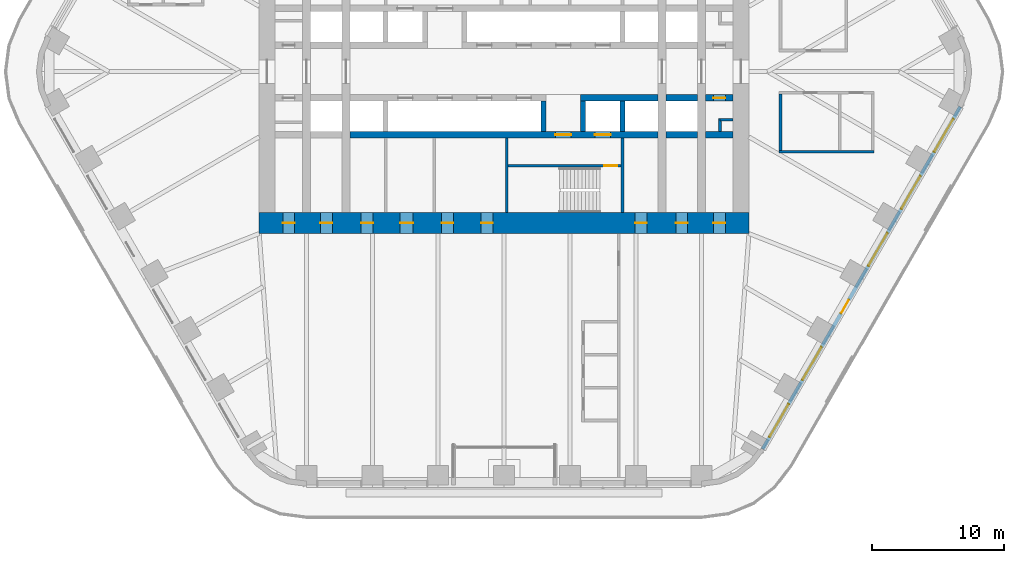
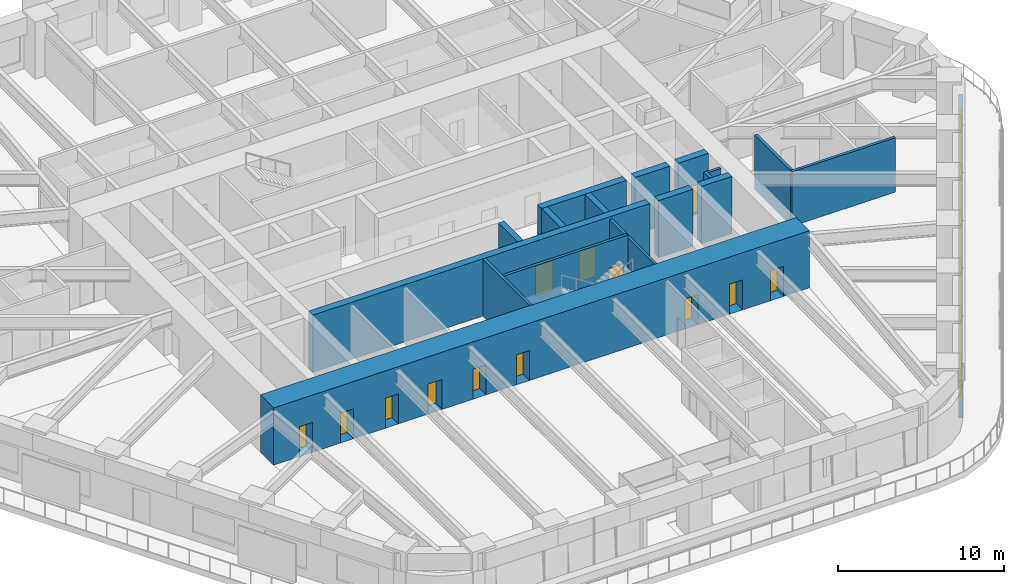
# One storey, part 18 of 24: 18 walls, 14 doors, 5 windows, 19 openings.
"""IFC4 building model written with IfcOpenShell, lengths in metres."""

from ifc_helpers import new_model, si_unit, direction, frame, frame_2d, origin, place, context, subcontext, project, spatial, rectangle, extrude, material, layer, layer_set, type_object, element, fill, save


model = new_model("IFC4")

# Units and contexts
model_context = context("Model", 3, precision=1e-05, world=origin(), true_north=direction((0.0, 1.0)))
body_context = subcontext(model_context, "Body", "Model", "MODEL_VIEW")
ifc_project = project(units=[si_unit("LENGTHUNIT", "METRE"), si_unit("AREAUNIT", "SQUARE_METRE"), si_unit("VOLUMEUNIT", "CUBIC_METRE"), si_unit("PLANEANGLEUNIT", "RADIAN"), si_unit("MASSUNIT", "GRAM", prefix="KILO")], contexts=[model_context])

# Site, building, storey
site_placement = place(None, origin())
site = spatial("IfcSite", under=ifc_project, at=site_placement, CompositionType="ELEMENT")
building_placement = place(site_placement, origin())
building = spatial("IfcBuilding", under=site, at=building_placement, Name="Tarfa Lantern Tower", CompositionType="ELEMENT")
storey_placement = place(building_placement, frame((0.0, 0.0, 140.5)))
storey = spatial("IfcBuildingStorey", under=building, at=storey_placement, Name="L31", CompositionType="ELEMENT", Elevation=140.5)

# Wall, openings, door, windows
ifc_material_1 = material(Name="Limestone cladding on blockwork", Category="masonry")
ifc_layer_1 = layer(ifc_material_1, 0.300048828125)
ifc_layer_set_1 = layer_set([ifc_layer_1], Name="EW1 STONE-CLAD WALL 300")
wall_type_1 = type_object("IfcWallType", Name="EW1 STONE-CLAD WALL 300", PredefinedType="SOLIDWALL", material=ifc_layer_set_1)
wall_1_placement = place(storey_placement, frame((19.644287109375, -28.675048828125, 0.0), z_axis=(0.0, 0.0, 1.0), x_axis=(0.500003084452, 0.866023622968, 0.0)))
wall_1 = element("IfcWall", 1, at=wall_1_placement, inside=storey, type_object=wall_type_1, Name="Stone wall SE", PredefinedType="SOLIDWALL", context=body_context, shape_type="SweptSolid", body=[
    extrude(rectangle(XDim=30.022216796875, YDim=0.300048828125, at=frame_2d((15.01123046875, 0.0))), origin(), (0.0, 0.0, 1.0), 2.75),
])
opening_1_placement = place(wall_1_placement, frame((1.0517578125, 0.0, 0.60009765625)))
opening_1 = element("IfcOpeningElement", 2, at=opening_1_placement, cuts=wall_1, Name="Opening W9", PredefinedType="OPENING", context=body_context, shape_type="SweptSolid", body=[
    extrude(rectangle(XDim=2.89990234375, YDim=1.89990234375, at=frame_2d((1.449951171875, 0.949951171875))), frame((0.0, 0.159912109375, 0.0), z_axis=(0.0, -1.0, 0.0), x_axis=(1.0, 0.0, 0.0)), (0.0, 0.0, 1.0), 0.320068359375),
])
opening_2_placement = place(wall_1_placement, frame((6.0556640625, 0.0, 0.60009765625)))
opening_2 = element("IfcOpeningElement", 3, at=opening_2_placement, cuts=wall_1, Name="Opening W9", PredefinedType="OPENING", context=body_context, shape_type="SweptSolid", body=[
    extrude(rectangle(XDim=2.89990234375, YDim=1.89990234375, at=frame_2d((1.449951171875, 0.949951171875))), frame((0.0, 0.159912109375, 0.0), z_axis=(0.0, -1.0, 0.0), x_axis=(1.0, 0.0, 0.0)), (0.0, 0.0, 1.0), 0.320068359375),
])
opening_3_placement = place(wall_1_placement, frame((11.9091796875, 0.0, 0.0)))
opening_3 = element("IfcOpeningElement", 4, at=opening_3_placement, cuts=wall_1, Name="Opening D50", PredefinedType="OPENING", context=body_context, shape_type="SweptSolid", body=[
    extrude(rectangle(XDim=1.199951171875, YDim=2.39990234375, at=frame_2d((0.60009765625, 1.199951171875))), frame((0.0, 0.159912109375, 0.0), z_axis=(0.0, -1.0, 0.0), x_axis=(1.0, 0.0, 0.0)), (0.0, 0.0, 1.0), 0.320068359375),
])
opening_4_placement = place(wall_1_placement, frame((16.06298828125, 0.0, 0.60009765625)))
opening_4 = element("IfcOpeningElement", 5, at=opening_4_placement, cuts=wall_1, Name="Opening W9", PredefinedType="OPENING", context=body_context, shape_type="SweptSolid", body=[
    extrude(rectangle(XDim=2.89990234375, YDim=1.89990234375, at=frame_2d((1.449951171875, 0.949951171875))), frame((0.0, 0.159912109375, 0.0), z_axis=(0.0, -1.0, 0.0), x_axis=(1.0, 0.0, 0.0)), (0.0, 0.0, 1.0), 0.320068359375),
])
opening_5_placement = place(wall_1_placement, frame((21.066650390625, 0.0, 0.60009765625)))
opening_5 = element("IfcOpeningElement", 6, at=opening_5_placement, cuts=wall_1, Name="Opening W9", PredefinedType="OPENING", context=body_context, shape_type="SweptSolid", body=[
    extrude(rectangle(XDim=2.89990234375, YDim=1.89990234375, at=frame_2d((1.449951171875, 0.949951171875))), frame((0.0, 0.159912109375, 0.0), z_axis=(0.0, -1.0, 0.0), x_axis=(1.0, 0.0, 0.0)), (0.0, 0.0, 1.0), 0.320068359375),
])
opening_6_placement = place(wall_1_placement, frame((26.0703125, 0.0, 0.60009765625)))
opening_6 = element("IfcOpeningElement", 7, at=opening_6_placement, cuts=wall_1, Name="Opening W9", PredefinedType="OPENING", context=body_context, shape_type="SweptSolid", body=[
    extrude(rectangle(XDim=2.89990234375, YDim=1.89990234375, at=frame_2d((1.449951171875, 0.949951171875))), frame((0.0, 0.159912109375, 0.0), z_axis=(0.0, -1.0, 0.0), x_axis=(1.0, 0.0, 0.0)), (0.0, 0.0, 1.0), 0.320068359375),
])
ifc_material_2 = material(Name="Aluminium framed glazed door", Category="aluminium")
door_type_1 = type_object("IfcDoorType", Name="BE3 BALCONY DOOR 1200x2400", OperationType="SINGLE_SWING_RIGHT", PredefinedType="DOOR", material=ifc_material_2)
door_1_placement = place(opening_3_placement, origin())
door_1 = element("IfcDoor", 8, at=door_1_placement, inside=storey, type_object=door_type_1, Name="Balcony door SE", OperationType="SINGLE_SWING_RIGHT", OverallHeight=2.39990234375, OverallWidth=1.199951171875, PredefinedType="DOOR", context=body_context, shape_type="SweptSolid", body=[
    extrude(rectangle(XDim=1.199951171875, YDim=2.39990234375, at=frame_2d((0.60009765625, 1.199951171875))), frame((0.0, 0.02490234375, 0.0), z_axis=(0.0, -1.0, 0.0), x_axis=(1.0, 0.0, 0.0)), (0.0, 0.0, 1.0), 0.050048828125),
])
fill(opening_3, door_1)
ifc_material_3 = material(Name="Aluminium frame, double glazed", Category="aluminium")
window_type = type_object("IfcWindowType", Name="W9 FULL-HEIGHT GLAZING 2900x1900", PartitioningType="SINGLE_PANEL", PredefinedType="WINDOW", material=ifc_material_3)
window_1_placement = place(opening_1_placement, origin())
window_1 = element("IfcWindow", 9, at=window_1_placement, inside=storey, type_object=window_type, Name="Window SE 1", OverallHeight=1.89990234375, OverallWidth=2.89990234375, PartitioningType="SINGLE_PANEL", PredefinedType="WINDOW", context=body_context, shape_type="SweptSolid", body=[
    extrude(rectangle(XDim=2.89990234375, YDim=1.89990234375, at=frame_2d((1.449951171875, 0.949951171875))), frame((0.0, 0.030029296875, 0.0), z_axis=(0.0, -1.0, 0.0), x_axis=(1.0, 0.0, 0.0)), (0.0, 0.0, 1.0), 0.06005859375),
])
fill(opening_1, window_1)
window_2_placement = place(opening_2_placement, origin())
window_2 = element("IfcWindow", 10, at=window_2_placement, inside=storey, type_object=window_type, Name="Window SE 2", OverallHeight=1.89990234375, OverallWidth=2.89990234375, PartitioningType="SINGLE_PANEL", PredefinedType="WINDOW", context=body_context, shape_type="SweptSolid", body=[
    extrude(rectangle(XDim=2.89990234375, YDim=1.89990234375, at=frame_2d((1.449951171875, 0.949951171875))), frame((0.0, 0.030029296875, 0.0), z_axis=(0.0, -1.0, 0.0), x_axis=(1.0, 0.0, 0.0)), (0.0, 0.0, 1.0), 0.06005859375),
])
fill(opening_2, window_2)
window_3_placement = place(opening_4_placement, origin())
window_3 = element("IfcWindow", 11, at=window_3_placement, inside=storey, type_object=window_type, Name="Window SE 4", OverallHeight=1.89990234375, OverallWidth=2.89990234375, PartitioningType="SINGLE_PANEL", PredefinedType="WINDOW", context=body_context, shape_type="SweptSolid", body=[
    extrude(rectangle(XDim=2.89990234375, YDim=1.89990234375, at=frame_2d((1.449951171875, 0.949951171875))), frame((0.0, 0.030029296875, 0.0), z_axis=(0.0, -1.0, 0.0), x_axis=(1.0, 0.0, 0.0)), (0.0, 0.0, 1.0), 0.06005859375),
])
fill(opening_4, window_3)
window_4_placement = place(opening_5_placement, origin())
window_4 = element("IfcWindow", 12, at=window_4_placement, inside=storey, type_object=window_type, Name="Window SE 5", OverallHeight=1.89990234375, OverallWidth=2.89990234375, PartitioningType="SINGLE_PANEL", PredefinedType="WINDOW", context=body_context, shape_type="SweptSolid", body=[
    extrude(rectangle(XDim=2.89990234375, YDim=1.89990234375, at=frame_2d((1.449951171875, 0.949951171875))), frame((0.0, 0.030029296875, 0.0), z_axis=(0.0, -1.0, 0.0), x_axis=(1.0, 0.0, 0.0)), (0.0, 0.0, 1.0), 0.06005859375),
])
fill(opening_5, window_4)
window_5_placement = place(opening_6_placement, origin())
window_5 = element("IfcWindow", 13, at=window_5_placement, inside=storey, type_object=window_type, Name="Window SE 6", OverallHeight=1.89990234375, OverallWidth=2.89990234375, PartitioningType="SINGLE_PANEL", PredefinedType="WINDOW", context=body_context, shape_type="SweptSolid", body=[
    extrude(rectangle(XDim=2.89990234375, YDim=1.89990234375, at=frame_2d((1.449951171875, 0.949951171875))), frame((0.0, 0.030029296875, 0.0), z_axis=(0.0, -1.0, 0.0), x_axis=(1.0, 0.0, 0.0)), (0.0, 0.0, 1.0), 0.06005859375),
])
fill(opening_6, window_5)

# Walls
ifc_material_4 = material(Name="Concrete blockwork", Category="masonry")
ifc_layer_2 = layer(ifc_material_4, 0.199951171875)
ifc_layer_set_2 = layer_set([ifc_layer_2], Name="IW1 BLOCKWORK PARTITION 200 EI 120")
wall_type_2 = type_object("IfcWallType", Name="IW1 BLOCKWORK PARTITION 200 EI 120", PredefinedType="PARTITIONING", material=ifc_layer_set_2)
wall_2_placement = place(storey_placement, frame((9.0, -5.050048828125, 0.0), z_axis=(0.0, 0.0, 1.0), x_axis=(0.0, -1.0, 0.0)))
element("IfcWall", 14, at=wall_2_placement, inside=storey, type_object=wall_type_2, Name="Core partition", PredefinedType="PARTITIONING", context=body_context, shape_type="SweptSolid", body=[
    extrude(rectangle(XDim=5.64990234375, YDim=0.199951171875, at=frame_2d((2.824951171875, 0.0))), origin(), (0.0, 0.0, 1.0), 4.0),
])
for number, where, z_axis, x_axis, name in (
    (15, (17.39990234375, -3.64990234375, 0.0), (0.0, 0.0, 1.0), (-1.0, 0.0, 0.0), "Core partition"),
    (16, (16.39990234375, -3.550048828125, 0.0), (0.0, 0.0, 1.0), (0.0, -1.0, 0.0), "Core partition"),
):
    element("IfcWall", number, at=place(storey_placement, frame(where, z_axis=z_axis, x_axis=x_axis)), inside=storey, type_object=wall_type_2, Name=name, PredefinedType="PARTITIONING", context=body_context, shape_type="SweptSolid", body=[
        extrude(rectangle(XDim=1.0, YDim=0.199951171875, at=frame_2d((0.5, 0.0))), origin(), (0.0, 0.0, 1.0), 4.0),
    ])
ifc_material_5 = material(Name="Gypsum board on steel studs", Category="steel")
ifc_layer_3 = layer(ifc_material_5, 0.2099609375)
ifc_layer_set_3 = layer_set([ifc_layer_3], Name="IW2 ACOUSTIC PARTITION 200")
wall_type_3 = type_object("IfcWallType", Name="IW2 ACOUSTIC PARTITION 200", PredefinedType="PARTITIONING", material=ifc_layer_set_3)
wall_3_placement = place(storey_placement, frame((20.89990234375, -6.10009765625, 0.0), z_axis=(0.0, 0.0, 1.0), x_axis=(1.0, 0.0, 0.0)))
element("IfcWall", 17, at=wall_3_placement, inside=storey, type_object=wall_type_3, Name="Partition", PredefinedType="PARTITIONING", context=body_context, shape_type="SweptSolid", body=[
    extrude(rectangle(XDim=7.2001953125, YDim=0.199951171875, at=frame_2d((3.60009765625, 0.0))), origin(), (0.0, 0.0, 1.0), 4.0),
])
wall_4_placement = place(storey_placement, frame((21.0, -1.699951171875, 0.0), z_axis=(0.0, 0.0, 1.0), x_axis=(0.0, -1.0, 0.0)))
element("IfcWall", 18, at=wall_4_placement, inside=storey, type_object=wall_type_3, Name="Partition", PredefinedType="PARTITIONING", context=body_context, shape_type="SweptSolid", body=[
    extrude(rectangle(XDim=4.300048828125, YDim=0.199951171875, at=frame_2d((2.14990234375, 0.0))), origin(), (0.0, 0.0, 1.0), 4.0),
])
ifc_material_6 = material(Name="Concrete C80/95", Category="concrete")
ifc_layer_4 = layer(ifc_material_6, 0.199951171875)
ifc_layer_set_4 = layer_set([ifc_layer_4], Name="SW12 CORE WALL 200")
wall_type_4 = type_object("IfcWallType", Name="SW12 CORE WALL 200", PredefinedType="SHEAR", material=ifc_layer_set_4)
wall_5_placement = place(storey_placement, frame((0.199951171875, -5.050048828125, 0.0), z_axis=(0.0, 0.0, 1.0), x_axis=(0.0, -1.0, 0.0)))
element("IfcWall", 19, at=wall_5_placement, inside=storey, type_object=wall_type_4, Name="Core wall stair shaft S", PredefinedType="SHEAR", context=body_context, shape_type="SweptSolid", body=[
    extrude(rectangle(XDim=5.64990234375, YDim=0.199951171875, at=frame_2d((2.824951171875, 0.0))), origin(), (0.0, 0.0, 1.0), 4.199951171875),
])

# Wall, opening, door
wall_6_placement = place(storey_placement, frame((8.89990234375, -7.14990234375, 0.0), z_axis=(0.0, 0.0, 1.0), x_axis=(-1.0, 0.0, 0.0)))
wall_6 = element("IfcWall", 20, at=wall_6_placement, inside=storey, type_object=wall_type_4, Name="Core wall stair partition S", PredefinedType="SHEAR", context=body_context, shape_type="SweptSolid", body=[
    extrude(rectangle(XDim=8.599853515625, YDim=0.199951171875, at=frame_2d((4.2998046875, 0.0))), origin(), (0.0, 0.0, 1.0), 4.199951171875),
])
opening_7_placement = place(wall_6_placement, frame((0.300048828125, 0.0, 0.0)))
opening_7 = element("IfcOpeningElement", 21, at=opening_7_placement, cuts=wall_6, Name="Opening D28", PredefinedType="OPENING", context=body_context, shape_type="SweptSolid", body=[
    extrude(rectangle(XDim=1.0, YDim=2.199951171875, at=frame_2d((0.5, 1.10009765625))), frame((0.0, 0.10986328125, 0.0), z_axis=(0.0, -1.0, 0.0), x_axis=(1.0, 0.0, 0.0)), (0.0, 0.0, 1.0), 0.219970703125),
])
ifc_material_7 = material(Name="Steel fire door", Category="steel")
door_type_2 = type_object("IfcDoorType", Name="DF2 STAIR DOOR 1000x2200", OperationType="SINGLE_SWING_LEFT", PredefinedType="DOOR", material=ifc_material_7)
door_2_placement = place(opening_7_placement, origin())
door_2 = element("IfcDoor", 22, at=door_2_placement, inside=storey, type_object=door_type_2, Name="Stair door", OperationType="SINGLE_SWING_RIGHT", OverallHeight=2.199951171875, OverallWidth=1.0, PredefinedType="DOOR", context=body_context, shape_type="SweptSolid", body=[
    extrude(rectangle(XDim=1.0, YDim=2.199951171875, at=frame_2d((0.5, 1.10009765625))), frame((0.0, 0.02490234375, 0.0), z_axis=(0.0, -1.0, 0.0), x_axis=(1.0, 0.0, 0.0)), (0.0, 0.0, 1.0), 0.050048828125),
])
fill(opening_7, door_2)

ifc_layer_5 = layer(ifc_material_6, 0.5)
ifc_layer_set_5 = layer_set([ifc_layer_5], Name="SW5 CORE WALL 500")
wall_type_5 = type_object("IfcWallType", Name="SW5 CORE WALL 500", PredefinedType="SHEAR", material=ifc_layer_set_5)
wall_7_placement = place(storey_placement, frame((17.39990234375, -2.0, 0.0), z_axis=(0.0, 0.0, 1.0), x_axis=(-1.0, 0.0, 0.0)))
wall_7 = element("IfcWall", 23, at=wall_7_placement, inside=storey, type_object=wall_type_5, Name="Core wall lobby west S", PredefinedType="SHEAR", context=body_context, shape_type="SweptSolid", body=[
    extrude(rectangle(XDim=2.099853515625, YDim=0.5, at=frame_2d((1.0498046875, 0.0))), origin(), (0.0, 0.0, 1.0), 4.199951171875),
])
opening_8_placement = place(wall_7_placement, frame((0.60009765625, 0.0, 0.0)))
opening_8 = element("IfcOpeningElement", 24, at=opening_8_placement, cuts=wall_7, Name="Opening D20", PredefinedType="OPENING", context=body_context, shape_type="SweptSolid", body=[
    extrude(rectangle(XDim=0.89990234375, YDim=2.199951171875, at=frame_2d((0.449951171875, 1.10009765625))), frame((0.0, 0.260009765625, 0.0), z_axis=(0.0, -1.0, 0.0), x_axis=(1.0, 0.0, 0.0)), (0.0, 0.0, 1.0), 0.52001953125),
])
door_type_3 = type_object("IfcDoorType", Name="DF6 SERVICE ROOM DOOR 900x2200", OperationType="SINGLE_SWING_LEFT", PredefinedType="DOOR", material=ifc_material_7)
door_3_placement = place(opening_8_placement, origin())
door_3 = element("IfcDoor", 25, at=door_3_placement, inside=storey, type_object=door_type_3, Name="Service room door", OperationType="SINGLE_SWING_LEFT", OverallHeight=2.199951171875, OverallWidth=0.89990234375, PredefinedType="DOOR", context=body_context, shape_type="SweptSolid", body=[
    extrude(rectangle(XDim=0.89990234375, YDim=2.199951171875, at=frame_2d((0.449951171875, 1.10009765625))), frame((0.0, 0.02490234375, 0.0), z_axis=(0.0, -1.0, 0.0), x_axis=(1.0, 0.0, 0.0)), (0.0, 0.0, 1.0), 0.050048828125),
])
fill(opening_8, door_3)

# Walls
wall_8_placement = place(storey_placement, frame((14.699951171875, -2.0, 0.0), z_axis=(0.0, 0.0, 1.0), x_axis=(-1.0, 0.0, 0.0)))
element("IfcWall", 26, at=wall_8_placement, inside=storey, type_object=wall_type_5, Name="Core wall lobby west S", PredefinedType="SHEAR", context=body_context, shape_type="SweptSolid", body=[
    extrude(rectangle(XDim=2.39990234375, YDim=0.5, at=frame_2d((1.199951171875, 0.0))), origin(), (0.0, 0.0, 1.0), 4.199951171875),
])
wall_9_placement = place(storey_placement, frame((11.699951171875, -2.0, 0.0), z_axis=(0.0, 0.0, 1.0), x_axis=(-1.0, 0.0, 0.0)))
element("IfcWall", 27, at=wall_9_placement, inside=storey, type_object=wall_type_5, Name="Core wall lobby west S", PredefinedType="SHEAR", context=body_context, shape_type="SweptSolid", body=[
    extrude(rectangle(XDim=5.89990234375, YDim=0.5, at=frame_2d((2.949951171875, 0.0))), origin(), (0.0, 0.0, 1.0), 4.199951171875),
])
wall_10_placement = place(storey_placement, frame((17.39990234375, -4.800048828125, 0.0), z_axis=(0.0, 0.0, 1.0), x_axis=(-1.0, 0.0, 0.0)))
element("IfcWall", 28, at=wall_10_placement, inside=storey, type_object=wall_type_5, Name="Core wall rear S", PredefinedType="SHEAR", context=body_context, shape_type="SweptSolid", body=[
    extrude(rectangle(XDim=2.099853515625, YDim=0.5, at=frame_2d((1.0498046875, 0.0))), origin(), (0.0, 0.0, 1.0), 4.199951171875),
])
wall_11_placement = place(storey_placement, frame((14.699951171875, -4.800048828125, 0.0), z_axis=(0.0, 0.0, 1.0), x_axis=(-1.0, 0.0, 0.0)))
element("IfcWall", 29, at=wall_11_placement, inside=storey, type_object=wall_type_5, Name="Core wall rear S", PredefinedType="SHEAR", context=body_context, shape_type="SweptSolid", body=[
    extrude(rectangle(XDim=2.39990234375, YDim=0.5, at=frame_2d((1.199951171875, 0.0))), origin(), (0.0, 0.0, 1.0), 4.199951171875),
])

# Wall, openings, doors
wall_12_placement = place(storey_placement, frame((11.699951171875, -4.800048828125, 0.0), z_axis=(0.0, 0.0, 1.0), x_axis=(-1.0, 0.0, 0.0)))
wall_12 = element("IfcWall", 30, at=wall_12_placement, inside=storey, type_object=wall_type_5, Name="Core wall rear S", PredefinedType="SHEAR", context=body_context, shape_type="SweptSolid", body=[
    extrude(rectangle(XDim=23.39990234375, YDim=0.5, at=frame_2d((11.699951171875, 0.0))), origin(), (0.0, 0.0, 1.0), 4.199951171875),
])
opening_9_placement = place(wall_12_placement, frame((6.60009765625, 0.0, 0.0)))
opening_9 = element("IfcOpeningElement", 31, at=opening_9_placement, cuts=wall_12, Name="Opening D14", PredefinedType="OPENING", context=body_context, shape_type="SweptSolid", body=[
    extrude(rectangle(XDim=1.199951171875, YDim=2.199951171875, at=frame_2d((0.60009765625, 1.10009765625))), frame((0.0, 0.260009765625, 0.0), z_axis=(0.0, -1.0, 0.0), x_axis=(1.0, 0.0, 0.0)), (0.0, 0.0, 1.0), 0.52001953125),
])
opening_10_placement = place(wall_12_placement, frame((3.60009765625, 0.0, 0.0)))
opening_10 = element("IfcOpeningElement", 32, at=opening_10_placement, cuts=wall_12, Name="Opening LD02", PredefinedType="OPENING", context=body_context, shape_type="SweptSolid", body=[
    extrude(rectangle(XDim=1.199951171875, YDim=2.199951171875, at=frame_2d((0.60009765625, 1.10009765625))), frame((0.0, 0.260009765625, 0.0), z_axis=(0.0, -1.0, 0.0), x_axis=(1.0, 0.0, 0.0)), (0.0, 0.0, 1.0), 0.52001953125),
])
door_type_4 = type_object("IfcDoorType", Name="DF1 FIREFIGHTING LOBBY DOOR 1200x2200", OperationType="SINGLE_SWING_LEFT", PredefinedType="DOOR", material=ifc_material_7)
door_4_placement = place(opening_9_placement, origin())
door_4 = element("IfcDoor", 33, at=door_4_placement, inside=storey, type_object=door_type_4, Name="Firefighting lobby door", OperationType="SINGLE_SWING_LEFT", OverallHeight=2.199951171875, OverallWidth=1.199951171875, PredefinedType="DOOR", context=body_context, shape_type="SweptSolid", body=[
    extrude(rectangle(XDim=1.199951171875, YDim=2.199951171875, at=frame_2d((0.60009765625, 1.10009765625))), frame((0.0, 0.02490234375, 0.0), z_axis=(0.0, -1.0, 0.0), x_axis=(1.0, 0.0, 0.0)), (0.0, 0.0, 1.0), 0.050048828125),
])
fill(opening_9, door_4)
ifc_material_8 = material(Name="Stainless steel lift door", Category="steel")
door_type_5 = type_object("IfcDoorType", Name="LD1 LIFT LANDING DOOR 1200x2200", OperationType="SLIDING_TO_LEFT", PredefinedType="DOOR", material=ifc_material_8)
door_5_placement = place(opening_10_placement, origin())
door_5 = element("IfcDoor", 34, at=door_5_placement, inside=storey, type_object=door_type_5, Name="Landing door FL2", OperationType="SLIDING_TO_LEFT", OverallHeight=2.199951171875, OverallWidth=1.199951171875, PredefinedType="DOOR", context=body_context, shape_type="SweptSolid", body=[
    extrude(rectangle(XDim=1.199951171875, YDim=2.199951171875, at=frame_2d((0.60009765625, 1.10009765625))), frame((0.0, 0.02490234375, 0.0), z_axis=(0.0, -1.0, 0.0), x_axis=(1.0, 0.0, 0.0)), (0.0, 0.0, 1.0), 0.050048828125),
])
fill(opening_10, door_5)

# Walls
ifc_layer_6 = layer(ifc_material_6, 0.39990234375)
ifc_layer_set_6 = layer_set([ifc_layer_6], Name="SW6 CORE WALL 400")
wall_type_6 = type_object("IfcWallType", Name="SW6 CORE WALL 400", PredefinedType="SHEAR", material=ifc_layer_set_6)
for number, where, z_axis, x_axis, name in (
    (35, (9.0, -2.25, 0.0), (0.0, 0.0, 1.0), (0.0, -1.0, 0.0), "Core wall divider S"),
    (36, (6.0, -2.25, 0.0), (0.0, 0.0, 1.0), (0.0, -1.0, 0.0), "Core wall divider S"),
    (37, (3.0, -2.25, 0.0), (0.0, 0.0, 1.0), (0.0, -1.0, 0.0), "Core wall divider S"),
):
    element("IfcWall", number, at=place(storey_placement, frame(where, z_axis=z_axis, x_axis=x_axis)), inside=storey, type_object=wall_type_6, Name=name, PredefinedType="SHEAR", context=body_context, shape_type="SweptSolid", body=[
        extrude(rectangle(XDim=2.300048828125, YDim=0.39990234375, at=frame_2d((1.14990234375, 0.0))), origin(), (0.0, 0.0, 1.0), 4.199951171875),
    ])

# Wall, openings, doors
ifc_layer_7 = layer(ifc_material_6, 1.60009765625)
ifc_layer_set_7 = layer_set([ifc_layer_7], Name="SW7 CORE WALL 1600")
wall_type_7 = type_object("IfcWallType", Name="SW7 CORE WALL 1600", PredefinedType="SHEAR", material=ifc_layer_set_7)
wall_13_placement = place(storey_placement, frame((18.60009765625, -11.5, 0.0), z_axis=(0.0, 0.0, 1.0), x_axis=(-1.0, 0.0, 0.0)))
wall_13 = element("IfcWall", 38, at=wall_13_placement, inside=storey, type_object=wall_type_7, Name="Core wall S", PredefinedType="SHEAR", context=body_context, shape_type="SweptSolid", body=[
    extrude(rectangle(XDim=37.2001953125, YDim=1.60009765625, at=frame_2d((18.60009765625, 0.0))), origin(), (0.0, 0.0, 1.0), 4.199951171875),
])
opening_11_placement = place(wall_13_placement, frame((19.449951171875, 0.0, 0.0)))
opening_11 = element("IfcOpeningElement", 39, at=opening_11_placement, cuts=wall_13, Name="Opening D22", PredefinedType="OPENING", context=body_context, shape_type="SweptSolid", body=[
    extrude(rectangle(XDim=0.89990234375, YDim=2.199951171875, at=frame_2d((0.449951171875, 1.10009765625))), frame((0.0, 0.81005859375, 0.0), z_axis=(0.0, -1.0, 0.0), x_axis=(1.0, 0.0, 0.0)), (0.0, 0.0, 1.0), 1.6201171875),
])
opening_12_placement = place(wall_13_placement, frame((22.449951171875, 0.0, 0.0)))
opening_12 = element("IfcOpeningElement", 40, at=opening_12_placement, cuts=wall_13, Name="Opening D24", PredefinedType="OPENING", context=body_context, shape_type="SweptSolid", body=[
    extrude(rectangle(XDim=0.89990234375, YDim=2.199951171875, at=frame_2d((0.449951171875, 1.10009765625))), frame((0.0, 0.81005859375, 0.0), z_axis=(0.0, -1.0, 0.0), x_axis=(1.0, 0.0, 0.0)), (0.0, 0.0, 1.0), 1.6201171875),
])
opening_13_placement = place(wall_13_placement, frame((25.5, 0.0, 0.0)))
opening_13 = element("IfcOpeningElement", 41, at=opening_13_placement, cuts=wall_13, Name="Opening D26", PredefinedType="OPENING", context=body_context, shape_type="SweptSolid", body=[
    extrude(rectangle(XDim=1.0, YDim=2.199951171875, at=frame_2d((0.5, 1.10009765625))), frame((0.0, 0.81005859375, 0.0), z_axis=(0.0, -1.0, 0.0), x_axis=(1.0, 0.0, 0.0)), (0.0, 0.0, 1.0), 1.6201171875),
])
opening_14_placement = place(wall_13_placement, frame((1.800048828125, 0.0, 0.0)))
opening_14 = element("IfcOpeningElement", 42, at=opening_14_placement, cuts=wall_13, Name="Opening D12", PredefinedType="OPENING", context=body_context, shape_type="SweptSolid", body=[
    extrude(rectangle(XDim=0.89990234375, YDim=2.199951171875, at=frame_2d((0.449951171875, 1.10009765625))), frame((0.0, 0.81005859375, 0.0), z_axis=(0.0, -1.0, 0.0), x_axis=(1.0, 0.0, 0.0)), (0.0, 0.0, 1.0), 1.6201171875),
])
opening_15_placement = place(wall_13_placement, frame((4.64990234375, 0.0, 0.0)))
opening_15 = element("IfcOpeningElement", 43, at=opening_15_placement, cuts=wall_13, Name="Opening D08", PredefinedType="OPENING", context=body_context, shape_type="SweptSolid", body=[
    extrude(rectangle(XDim=0.89990234375, YDim=2.199951171875, at=frame_2d((0.449951171875, 1.10009765625))), frame((0.0, 0.81005859375, 0.0), z_axis=(0.0, -1.0, 0.0), x_axis=(1.0, 0.0, 0.0)), (0.0, 0.0, 1.0), 1.6201171875),
])
opening_16_placement = place(wall_13_placement, frame((7.75, 0.0, 0.0)))
opening_16 = element("IfcOpeningElement", 44, at=opening_16_placement, cuts=wall_13, Name="Opening D10", PredefinedType="OPENING", context=body_context, shape_type="SweptSolid", body=[
    extrude(rectangle(XDim=0.89990234375, YDim=2.199951171875, at=frame_2d((0.449951171875, 1.10009765625))), frame((0.0, 0.81005859375, 0.0), z_axis=(0.0, -1.0, 0.0), x_axis=(1.0, 0.0, 0.0)), (0.0, 0.0, 1.0), 1.6201171875),
])
opening_17_placement = place(wall_13_placement, frame((28.550048828125, 0.0, 0.0)))
opening_17 = element("IfcOpeningElement", 45, at=opening_17_placement, cuts=wall_13, Name="Opening D06", PredefinedType="OPENING", context=body_context, shape_type="SweptSolid", body=[
    extrude(rectangle(XDim=0.89990234375, YDim=2.199951171875, at=frame_2d((0.449951171875, 1.10009765625))), frame((0.0, 0.81005859375, 0.0), z_axis=(0.0, -1.0, 0.0), x_axis=(1.0, 0.0, 0.0)), (0.0, 0.0, 1.0), 1.6201171875),
])
opening_18_placement = place(wall_13_placement, frame((31.64990234375, 0.0, 0.0)))
opening_18 = element("IfcOpeningElement", 46, at=opening_18_placement, cuts=wall_13, Name="Opening D02", PredefinedType="OPENING", context=body_context, shape_type="SweptSolid", body=[
    extrude(rectangle(XDim=0.89990234375, YDim=2.199951171875, at=frame_2d((0.449951171875, 1.10009765625))), frame((0.0, 0.81005859375, 0.0), z_axis=(0.0, -1.0, 0.0), x_axis=(1.0, 0.0, 0.0)), (0.0, 0.0, 1.0), 1.6201171875),
])
opening_19_placement = place(wall_13_placement, frame((34.5, 0.0, 0.0)))
opening_19 = element("IfcOpeningElement", 47, at=opening_19_placement, cuts=wall_13, Name="Opening D04", PredefinedType="OPENING", context=body_context, shape_type="SweptSolid", body=[
    extrude(rectangle(XDim=0.89990234375, YDim=2.199951171875, at=frame_2d((0.449951171875, 1.10009765625))), frame((0.0, 0.81005859375, 0.0), z_axis=(0.0, -1.0, 0.0), x_axis=(1.0, 0.0, 0.0)), (0.0, 0.0, 1.0), 1.6201171875),
])
door_type_6 = type_object("IfcDoorType", Name="DF3 CORE ROOM DOOR 900x2200", OperationType="SINGLE_SWING_LEFT", PredefinedType="DOOR", material=ifc_material_7)
door_6_placement = place(opening_11_placement, frame((0.89990234375, 0.0, 0.0), z_axis=(0.0, 0.0, 1.0), x_axis=(-1.0, 0.0, 0.0)))
door_6 = element("IfcDoor", 48, at=door_6_placement, inside=storey, type_object=door_type_6, Name="Core door", OperationType="SINGLE_SWING_LEFT", OverallHeight=2.199951171875, OverallWidth=0.89990234375, PredefinedType="DOOR", context=body_context, shape_type="SweptSolid", body=[
    extrude(rectangle(XDim=0.89990234375, YDim=2.199951171875, at=frame_2d((0.449951171875, 1.10009765625))), frame((0.0, 0.02490234375, 0.0), z_axis=(0.0, -1.0, 0.0), x_axis=(1.0, 0.0, 0.0)), (0.0, 0.0, 1.0), 0.050048828125),
])
fill(opening_11, door_6)
door_7_placement = place(opening_12_placement, frame((0.89990234375, 0.0, 0.0), z_axis=(0.0, 0.0, 1.0), x_axis=(-1.0, 0.0, 0.0)))
door_7 = element("IfcDoor", 49, at=door_7_placement, inside=storey, type_object=door_type_6, Name="Core door", OperationType="SINGLE_SWING_RIGHT", OverallHeight=2.199951171875, OverallWidth=0.89990234375, PredefinedType="DOOR", context=body_context, shape_type="SweptSolid", body=[
    extrude(rectangle(XDim=0.89990234375, YDim=2.199951171875, at=frame_2d((0.449951171875, 1.10009765625))), frame((0.0, 0.02490234375, 0.0), z_axis=(0.0, -1.0, 0.0), x_axis=(1.0, 0.0, 0.0)), (0.0, 0.0, 1.0), 0.050048828125),
])
fill(opening_12, door_7)
door_type_7 = type_object("IfcDoorType", Name="DF4 CORE ROOM DOOR 1000x2200", OperationType="SINGLE_SWING_LEFT", PredefinedType="DOOR", material=ifc_material_7)
door_8_placement = place(opening_13_placement, frame((1.0, 0.0, 0.0), z_axis=(0.0, 0.0, 1.0), x_axis=(-1.0, 0.0, 0.0)))
door_8 = element("IfcDoor", 50, at=door_8_placement, inside=storey, type_object=door_type_7, Name="Core door", OperationType="SINGLE_SWING_RIGHT", OverallHeight=2.199951171875, OverallWidth=1.0, PredefinedType="DOOR", context=body_context, shape_type="SweptSolid", body=[
    extrude(rectangle(XDim=1.0, YDim=2.199951171875, at=frame_2d((0.5, 1.10009765625))), frame((0.0, 0.02490234375, 0.0), z_axis=(0.0, -1.0, 0.0), x_axis=(1.0, 0.0, 0.0)), (0.0, 0.0, 1.0), 0.050048828125),
])
fill(opening_13, door_8)
door_type_8 = type_object("IfcDoorType", Name="DF5 RISER DOOR 900x2200", OperationType="SINGLE_SWING_LEFT", PredefinedType="DOOR", material=ifc_material_7)
door_9_placement = place(opening_14_placement, frame((0.89990234375, 0.0, 0.0), z_axis=(0.0, 0.0, 1.0), x_axis=(-1.0, 0.0, 0.0)))
door_9 = element("IfcDoor", 51, at=door_9_placement, inside=storey, type_object=door_type_8, Name="Riser door", OperationType="SINGLE_SWING_LEFT", OverallHeight=2.199951171875, OverallWidth=0.89990234375, PredefinedType="DOOR", context=body_context, shape_type="SweptSolid", body=[
    extrude(rectangle(XDim=0.89990234375, YDim=2.199951171875, at=frame_2d((0.449951171875, 1.10009765625))), frame((0.0, 0.02490234375, 0.0), z_axis=(0.0, -1.0, 0.0), x_axis=(1.0, 0.0, 0.0)), (0.0, 0.0, 1.0), 0.050048828125),
])
fill(opening_14, door_9)
door_10_placement = place(opening_15_placement, frame((0.89990234375, 0.0, 0.0), z_axis=(0.0, 0.0, 1.0), x_axis=(-1.0, 0.0, 0.0)))
door_10 = element("IfcDoor", 52, at=door_10_placement, inside=storey, type_object=door_type_8, Name="Riser door", OperationType="SINGLE_SWING_LEFT", OverallHeight=2.199951171875, OverallWidth=0.89990234375, PredefinedType="DOOR", context=body_context, shape_type="SweptSolid", body=[
    extrude(rectangle(XDim=0.89990234375, YDim=2.199951171875, at=frame_2d((0.449951171875, 1.10009765625))), frame((0.0, 0.02490234375, 0.0), z_axis=(0.0, -1.0, 0.0), x_axis=(1.0, 0.0, 0.0)), (0.0, 0.0, 1.0), 0.050048828125),
])
fill(opening_15, door_10)
door_11_placement = place(opening_16_placement, frame((0.89990234375, 0.0, 0.0), z_axis=(0.0, 0.0, 1.0), x_axis=(-1.0, 0.0, 0.0)))
door_11 = element("IfcDoor", 53, at=door_11_placement, inside=storey, type_object=door_type_8, Name="Riser door", OperationType="SINGLE_SWING_LEFT", OverallHeight=2.199951171875, OverallWidth=0.89990234375, PredefinedType="DOOR", context=body_context, shape_type="SweptSolid", body=[
    extrude(rectangle(XDim=0.89990234375, YDim=2.199951171875, at=frame_2d((0.449951171875, 1.10009765625))), frame((0.0, 0.02490234375, 0.0), z_axis=(0.0, -1.0, 0.0), x_axis=(1.0, 0.0, 0.0)), (0.0, 0.0, 1.0), 0.050048828125),
])
fill(opening_16, door_11)
door_12_placement = place(opening_17_placement, frame((0.89990234375, 0.0, 0.0), z_axis=(0.0, 0.0, 1.0), x_axis=(-1.0, 0.0, 0.0)))
door_12 = element("IfcDoor", 54, at=door_12_placement, inside=storey, type_object=door_type_8, Name="Riser door", OperationType="SINGLE_SWING_RIGHT", OverallHeight=2.199951171875, OverallWidth=0.89990234375, PredefinedType="DOOR", context=body_context, shape_type="SweptSolid", body=[
    extrude(rectangle(XDim=0.89990234375, YDim=2.199951171875, at=frame_2d((0.449951171875, 1.10009765625))), frame((0.0, 0.02490234375, 0.0), z_axis=(0.0, -1.0, 0.0), x_axis=(1.0, 0.0, 0.0)), (0.0, 0.0, 1.0), 0.050048828125),
])
fill(opening_17, door_12)
door_13_placement = place(opening_18_placement, frame((0.89990234375, 0.0, 0.0), z_axis=(0.0, 0.0, 1.0), x_axis=(-1.0, 0.0, 0.0)))
door_13 = element("IfcDoor", 55, at=door_13_placement, inside=storey, type_object=door_type_8, Name="Riser door", OperationType="SINGLE_SWING_RIGHT", OverallHeight=2.199951171875, OverallWidth=0.89990234375, PredefinedType="DOOR", context=body_context, shape_type="SweptSolid", body=[
    extrude(rectangle(XDim=0.89990234375, YDim=2.199951171875, at=frame_2d((0.449951171875, 1.10009765625))), frame((0.0, 0.02490234375, 0.0), z_axis=(0.0, -1.0, 0.0), x_axis=(1.0, 0.0, 0.0)), (0.0, 0.0, 1.0), 0.050048828125),
])
fill(opening_18, door_13)
door_14_placement = place(opening_19_placement, frame((0.89990234375, 0.0, 0.0), z_axis=(0.0, 0.0, 1.0), x_axis=(-1.0, 0.0, 0.0)))
door_14 = element("IfcDoor", 56, at=door_14_placement, inside=storey, type_object=door_type_8, Name="Riser door", OperationType="SINGLE_SWING_RIGHT", OverallHeight=2.199951171875, OverallWidth=0.89990234375, PredefinedType="DOOR", context=body_context, shape_type="SweptSolid", body=[
    extrude(rectangle(XDim=0.89990234375, YDim=2.199951171875, at=frame_2d((0.449951171875, 1.10009765625))), frame((0.0, 0.02490234375, 0.0), z_axis=(0.0, -1.0, 0.0), x_axis=(1.0, 0.0, 0.0)), (0.0, 0.0, 1.0), 0.050048828125),
])
fill(opening_19, door_14)

save(model, "model.ifc")
